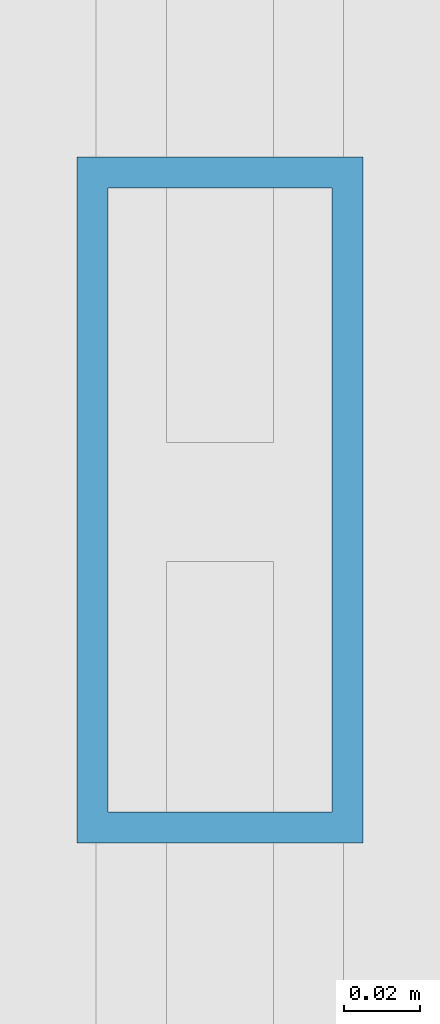
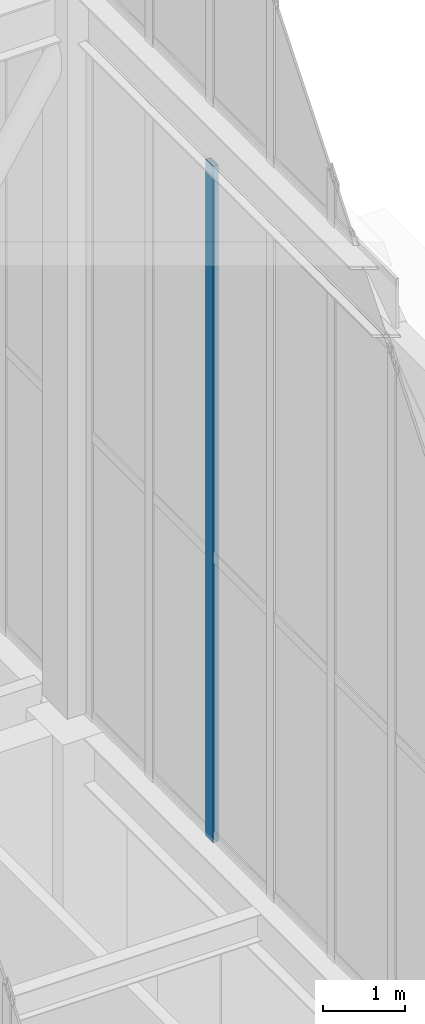
# One storey, part 72 of 135: 1 member, 1 element without a shape of its own.
"""IFC4 building model written with IfcOpenShell, lengths in metres."""

from ifc_helpers import new_model, si_unit, direction, frame, origin, origin_2d, place, context, subcontext, project, spatial, hollow_rectangle, extrude, source, transform, mapped, material, layer, layer_set, material_profile, profile_set, type_object, element, aggregate, save


model = new_model("IFC4")

# Units and contexts
model_context = context("Model", 3, precision=1e-05, world=origin(), true_north=direction((0.0, 1.0)))
body_context = subcontext(model_context, "Body", "Model", "MODEL_VIEW")
ifc_project = project(units=[si_unit("LENGTHUNIT", "METRE"), si_unit("AREAUNIT", "SQUARE_METRE"), si_unit("VOLUMEUNIT", "CUBIC_METRE"), si_unit("PLANEANGLEUNIT", "RADIAN"), si_unit("MASSUNIT", "GRAM", prefix="KILO")], contexts=[model_context])

# Site, building, storey
site_placement = place(None, origin())
site = spatial("IfcSite", under=ifc_project, at=site_placement, CompositionType="ELEMENT")
building_placement = place(site_placement, origin())
building = spatial("IfcBuilding", under=site, at=building_placement, Name="Giltprow Tower", CompositionType="ELEMENT")
storey_placement = place(building_placement, frame((0.0, 0.0, 352.699951171875)))
storey = spatial("IfcBuildingStorey", under=building, at=storey_placement, Name="L92", CompositionType="ELEMENT", Elevation=352.699951171875)

# Curtain wall, member
ifc_material = material(Name="Anodized bronze", Category="metal")
ifc_layer = layer(ifc_material, 0.179931640625, Name="Anodized bronze")
ifc_layer_set = layer_set([ifc_layer], Name="Anodized bronze")
curtain_wall_type = type_object("IfcCurtainWallType", Name="CW-CROWN-LANTERN", PredefinedType="NOTDEFINED", material=ifc_layer_set)
curtain_wall_placement = place(storey_placement, origin())
curtain_wall = element("IfcCurtainWall", 1, at=curtain_wall_placement, inside=storey, type_object=curtain_wall_type, Name="Crown East Lower Lantern Glazing 2", PredefinedType="NOTDEFINED")
ifc_material_profile = material_profile(ifc_material, hollow_rectangle(XDim=0.074951171875, YDim=0.179931640625, WallThickness=0.008056640625, at=origin_2d()), Name="RHS 180x75x8")
ifc_profile_set = profile_set([ifc_material_profile], Name="Anodized bronze")
member_type = type_object("IfcMemberType", Name="CW-MULLION-180x75", PredefinedType="MULLION", material=ifc_profile_set)
shared_shape = source(origin(), body_context, "Body", "SweptSolid", [
    extrude(hollow_rectangle(XDim=0.074951171875, YDim=0.179931640625, WallThickness=0.008056640625, at=origin_2d()), origin(), (0.0, 0.0, 1.0), 10.030029296875),
])
member_placement = place(storey_placement, frame((50.550048828125, 34.156005859375, 6.35009765625), z_axis=(0.0, 0.0, 1.0), x_axis=(1.0, 0.0, 0.0)))
member = element("IfcMember", 2, at=member_placement, type_object=member_type, Name="Crown East Lower Lantern Glazing 2 Mullion 8", PredefinedType="MULLION", context=body_context, shape_type="MappedRepresentation", body=[
    mapped(shared_shape, transform((0.0, 0.0, 0.0), x_axis=(1.0, 0.0, 0.0), y_axis=(0.0, 1.0, 0.0), z_axis=(0.0, 0.0, 1.0), scale=1.0)),
])
aggregate(curtain_wall, [member])

save(model, "model.ifc")
